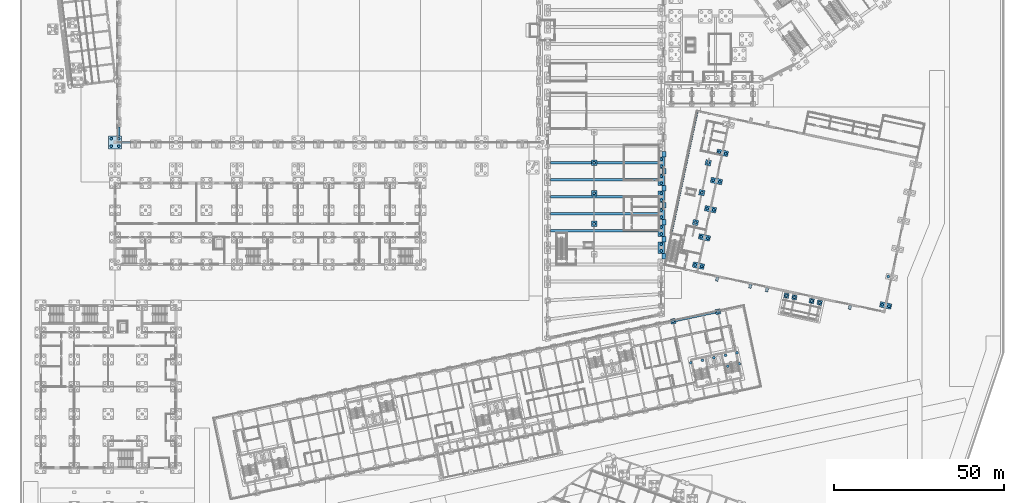
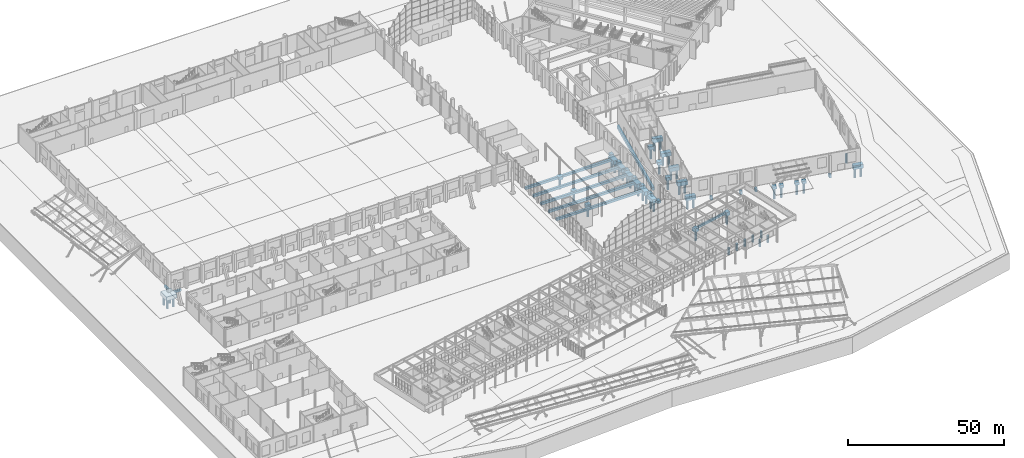
# One storey, part 5 of 239: 48 piles, 45 footings.
"""IFC4 building model written with IfcOpenShell, lengths in metres."""

from ifc_helpers import new_model, si_unit, direction, frame, origin, origin_2d, place, context, subcontext, project, spatial, rectangle, circle, extrude, material, material_profile, profile_set, type_object, element, save


model = new_model("IFC4")

# Units and contexts
model_context = context("Model", 3, precision=1e-05, world=origin(), true_north=direction((0.0, 1.0)))
body_context = subcontext(model_context, "Body", "Model", "MODEL_VIEW")
ifc_project = project(units=[si_unit("LENGTHUNIT", "METRE"), si_unit("AREAUNIT", "SQUARE_METRE"), si_unit("VOLUMEUNIT", "CUBIC_METRE"), si_unit("PLANEANGLEUNIT", "RADIAN"), si_unit("MASSUNIT", "GRAM", prefix="KILO")], contexts=[model_context])

# Site, building, storey
site_placement = place(None, origin())
site = spatial("IfcSite", under=ifc_project, at=site_placement, CompositionType="ELEMENT")
building_placement = place(site_placement, origin())
building = spatial("IfcBuilding", under=site, at=building_placement, Name="Okhra Congress Centre", CompositionType="ELEMENT")
storey_placement = place(building_placement, origin())
storey = spatial("IfcBuildingStorey", under=building, at=storey_placement, Name="L00", CompositionType="ELEMENT", Elevation=0.0)

# Piles
ifc_material_1 = material(Name="Concrete C30/37", Category="concrete")
ifc_material_profile_1 = material_profile(ifc_material_1, circle(Radius=0.39990234375, at=origin_2d()), Name="D800")
ifc_profile_set_1 = profile_set([ifc_material_profile_1], Name="Concrete C30/37")
pile_type_1 = type_object("IfcPileType", Name="Bored pile D800", PredefinedType="BORED", material=ifc_profile_set_1)
for number, where, z_axis, x_axis, name in (
    (1, (26.89990234375, 130.89990234375, -1.800048828125), (0.0, 0.0, -1.0), (1.0, 0.0, 0.0), "EH.PILE.L00.SC1.1"),
    (2, (29.10009765625, 130.89990234375, -1.800048828125), (0.0, 0.0, -1.0), (1.0, 0.0, 0.0), "EH.PILE.L00.SC1.2"),
    (3, (26.89990234375, 133.10009765625, -1.800048828125), (0.0, 0.0, -1.0), (1.0, 0.0, 0.0), "EH.PILE.L00.SC1.3"),
    (4, (29.10009765625, 133.10009765625, -1.800048828125), (0.0, 0.0, -1.0), (1.0, 0.0, 0.0), "EH.PILE.L00.SC1.4"),
    (5, (192.47265625, 79.28857421875, -1.800048828125), (0.0, 0.0, -1.0), (1.0, 0.0, 0.0), "Pile 28N"),
    (6, (205.677734375, 82.09521484375, -1.800048828125), (0.0, 0.0, -1.0), (1.0, 0.0, 0.0), "Pile 29N"),
):
    element("IfcPile", number, at=place(storey_placement, frame(where, z_axis=z_axis, x_axis=x_axis)), inside=storey, type_object=pile_type_1, Name=name, PredefinedType="BORED", context=body_context, shape_type="SweptSolid", body=[
        extrude(circle(Radius=0.39990234375, at=origin_2d()), origin(), (0.0, 0.0, 1.0), 3.699951171875),
    ])
for number, where, z_axis, x_axis, name in (
    (7, (197.723876953125, 67.088623046875, -2.800048828125), (0.0, 0.0, -1.0), (1.0, 0.0, 0.0), "Core pile 5.3"),
    (8, (201.123046875, 67.81103515625, -2.800048828125), (0.0, 0.0, -1.0), (1.0, 0.0, 0.0), "Core pile 5.6"),
    (9, (204.52197265625, 68.53369140625, -2.800048828125), (0.0, 0.0, -1.0), (1.0, 0.0, 0.0), "Core pile 5.9"),
    (10, (208.607177734375, 66.0283203125, -2.800048828125), (0.0, 0.0, -1.0), (1.0, 0.0, 0.0), "Core pile 5.11"),
    (11, (207.921142578125, 69.256103515625, -2.800048828125), (0.0, 0.0, -1.0), (1.0, 0.0, 0.0), "Core pile 5.12"),
    (12, (212.00634765625, 66.750732421875, -2.800048828125), (0.0, 0.0, -1.0), (1.0, 0.0, 0.0), "Core pile 5.14"),
    (13, (211.320068359375, 69.978515625, -2.800048828125), (0.0, 0.0, -1.0), (1.0, 0.0, 0.0), "Core pile 5.15"),
):
    element("IfcPile", number, at=place(storey_placement, frame(where, z_axis=z_axis, x_axis=x_axis)), inside=storey, type_object=pile_type_1, Name=name, PredefinedType="BORED", context=body_context, shape_type="SweptSolid", body=[
        extrude(circle(Radius=0.39990234375, at=origin_2d()), origin(), (0.0, 0.0, 1.0), 2.699951171875),
    ])
ifc_material_profile_2 = material_profile(ifc_material_1, circle(Radius=0.39990234375, at=origin_2d()), Name="D800")
ifc_profile_set_2 = profile_set([ifc_material_profile_2], Name="Concrete C30/37")
pile_type_2 = type_object("IfcPileType", Name="Bored pile D800 C30/37", PredefinedType="BORED", material=ifc_profile_set_2)
for number, where, z_axis, x_axis, name in (
    (14, (189.0, 100.0, -1.800048828125), (0.0, 0.0, -1.0), (1.0, 0.0, 0.0), "WG.PILE.L00.E05-1"),
    (15, (189.0, 102.0, -1.800048828125), (0.0, 0.0, -1.0), (1.0, 0.0, 0.0), "WG.PILE.L00.E05-2"),
    (16, (189.0, 105.0, -1.800048828125), (0.0, 0.0, -1.0), (1.0, 0.0, 0.0), "WG.PILE.L00.E06-1"),
    (17, (189.0, 107.0, -1.800048828125), (0.0, 0.0, -1.0), (1.0, 0.0, 0.0), "WG.PILE.L00.E06-2"),
    (18, (189.0, 110.0, -1.800048828125), (0.0, 0.0, -1.0), (1.0, 0.0, 0.0), "WG.PILE.L00.E07-1"),
    (19, (189.0, 112.0, -1.800048828125), (0.0, 0.0, -1.0), (1.0, 0.0, 0.0), "WG.PILE.L00.E07-2"),
    (20, (189.0, 115.0, -1.800048828125), (0.0, 0.0, -1.0), (1.0, 0.0, 0.0), "WG.PILE.L00.E08-1"),
    (21, (189.0, 117.0, -1.800048828125), (0.0, 0.0, -1.0), (1.0, 0.0, 0.0), "WG.PILE.L00.E08-2"),
    (22, (189.0, 120.0, -1.800048828125), (0.0, 0.0, -1.0), (1.0, 0.0, 0.0), "WG.PILE.L00.E09-1"),
    (23, (189.0, 122.0, -1.800048828125), (0.0, 0.0, -1.0), (1.0, 0.0, 0.0), "WG.PILE.L00.E09-2"),
    (24, (189.0, 125.0, -1.800048828125), (0.0, 0.0, -1.0), (1.0, 0.0, 0.0), "WG.PILE.L00.E10-1"),
    (25, (189.0, 127.0, -1.800048828125), (0.0, 0.0, -1.0), (1.0, 0.0, 0.0), "WG.PILE.L00.E10-2"),
    (26, (198.971435546875, 95.882080078125, -1.800048828125), (0.0, 0.0, -1.0), (1.0, 0.0, 0.0), "BR.PILE.L00.W0-1"),
    (27, (200.927734375, 95.46630859375, -1.800048828125), (0.0, 0.0, -1.0), (1.0, 0.0, 0.0), "BR.PILE.L00.W0-2"),
    (28, (254.13916015625, 84.156005859375, -1.800048828125), (0.0, 0.0, -1.0), (1.0, 0.0, 0.0), "BR.PILE.L00.E0-1"),
    (29, (256.095458984375, 83.739990234375, -1.800048828125), (0.0, 0.0, -1.0), (1.0, 0.0, 0.0), "BR.PILE.L00.E0-2"),
    (30, (200.73876953125, 104.1962890625, -1.800048828125), (0.0, 0.0, -1.0), (1.0, 0.0, 0.0), "BR.PILE.L00.W1-1"),
    (31, (202.695068359375, 103.780517578125, -1.800048828125), (0.0, 0.0, -1.0), (1.0, 0.0, 0.0), "BR.PILE.L00.W1-2"),
    (32, (255.90625, 92.47021484375, -1.800048828125), (0.0, 0.0, -1.0), (1.0, 0.0, 0.0), "BR.PILE.L00.E1-1"),
    (33, (202.506103515625, 112.5107421875, -1.800048828125), (0.0, 0.0, -1.0), (1.0, 0.0, 0.0), "BR.PILE.L00.W2-1"),
    (34, (204.46240234375, 112.0947265625, -1.800048828125), (0.0, 0.0, -1.0), (1.0, 0.0, 0.0), "BR.PILE.L00.W2-2"),
    (35, (204.273193359375, 120.824951171875, -1.800048828125), (0.0, 0.0, -1.0), (1.0, 0.0, 0.0), "BR.PILE.L00.W3-1"),
    (36, (206.2294921875, 120.4091796875, -1.800048828125), (0.0, 0.0, -1.0), (1.0, 0.0, 0.0), "BR.PILE.L00.W3-2"),
    (37, (206.04052734375, 129.13916015625, -1.800048828125), (0.0, 0.0, -1.0), (1.0, 0.0, 0.0), "BR.PILE.L00.W4-1"),
    (38, (207.996826171875, 128.723388671875, -1.800048828125), (0.0, 0.0, -1.0), (1.0, 0.0, 0.0), "BR.PILE.L00.W4-2"),
):
    element("IfcPile", number, at=place(storey_placement, frame(where, z_axis=z_axis, x_axis=x_axis)), inside=storey, type_object=pile_type_2, Name=name, PredefinedType="BORED", context=body_context, shape_type="SweptSolid", body=[
        extrude(circle(Radius=0.39990234375, at=origin_2d()), origin(), (0.0, 0.0, 1.0), 3.699951171875),
    ])
for number, where, z_axis, x_axis, name in (
    (39, (169.199951171875, 108.0, -1.5), (0.0, 0.0, -1.0), (1.0, 0.0, 0.0), "WG.PILE.L00.gal-1"),
    (40, (169.199951171875, 117.0, -1.5), (0.0, 0.0, -1.0), (1.0, 0.0, 0.0), "WG.PILE.L00.gal-2"),
    (41, (169.199951171875, 126.0, -1.5), (0.0, 0.0, -1.0), (1.0, 0.0, 0.0), "WG.PILE.L00.gal-3"),
    (42, (199.072998046875, 108.38427734375, -1.5), (0.0, 0.0, -1.0), (1.0, 0.0, 0.0), "BR.PILE.L00.gal-0"),
    (43, (200.9443359375, 117.1875, -1.5), (0.0, 0.0, -1.0), (1.0, 0.0, 0.0), "BR.PILE.L00.gal-1"),
    (44, (202.8154296875, 125.990966796875, -1.5), (0.0, 0.0, -1.0), (1.0, 0.0, 0.0), "BR.PILE.L00.gal-2"),
):
    element("IfcPile", number, at=place(storey_placement, frame(where, z_axis=z_axis, x_axis=x_axis)), inside=storey, type_object=pile_type_2, Name=name, PredefinedType="BORED", context=body_context, shape_type="SweptSolid", body=[
        extrude(circle(Radius=0.39990234375, at=origin_2d()), origin(), (0.0, 0.0, 1.0), 4.0),
    ])
for number, where, z_axis, x_axis, name in (
    (45, (225.879638671875, 86.840087890625, -1.300048828125), (0.0, 0.0, -1.0), (1.0, 0.0, 0.0), "BR.PILE.L00.canopy-0"),
    (46, (228.22705078125, 86.341064453125, -1.300048828125), (0.0, 0.0, -1.0), (1.0, 0.0, 0.0), "BR.PILE.L00.canopy-1"),
    (47, (233.3134765625, 85.260009765625, -1.300048828125), (0.0, 0.0, -1.0), (1.0, 0.0, 0.0), "BR.PILE.L00.canopy-2"),
    (48, (235.6611328125, 84.760986328125, -1.300048828125), (0.0, 0.0, -1.0), (1.0, 0.0, 0.0), "BR.PILE.L00.canopy-3"),
):
    element("IfcPile", number, at=place(storey_placement, frame(where, z_axis=z_axis, x_axis=x_axis)), inside=storey, type_object=pile_type_2, Name=name, PredefinedType="BORED", context=body_context, shape_type="SweptSolid", body=[
        extrude(circle(Radius=0.39990234375, at=origin_2d()), origin(), (0.0, 0.0, 1.0), 4.199951171875),
    ])

# Footings
ifc_material_2 = material(Name="Concrete C35/45", Category="concrete")
footing_type_1 = type_object("IfcFootingType", Name="Ground beam 600x800", PredefinedType="FOOTING_BEAM", material=ifc_material_2)
footing_1_placement = place(storey_placement, frame((199.0751953125, 80.69189453125, -1.2001953125), z_axis=(0.0, 0.0, 1.0), x_axis=(0.978147600734, 0.207911690818, 0.0)))
element("IfcFooting", 49, at=footing_1_placement, inside=storey, type_object=footing_type_1, Name="Ground beam N28", PredefinedType="FOOTING_BEAM", context=body_context, shape_type="SweptSolid", body=[
    extrude(rectangle(XDim=12.0, YDim=0.60009765625, at=origin_2d()), origin(), (0.0, 0.0, 1.0), 0.800048828125),
])
footing_type_2 = type_object("IfcFootingType", Name="Ground beam 600x800 C30/37", PredefinedType="FOOTING_BEAM", material=ifc_material_1)
for number, where, z_axis, x_axis, name in (
    (50, (31.199951171875, 132.0, -1.2001953125), (0.0, 0.0, 1.0), (1.0, 0.0, 0.0), "EH.FTG.L00.GB1"),
    (51, (29.125, 135.199951171875, -1.2001953125), (0.0, 0.0, 1.0), (0.0, 1.0, 0.0), "EH.FTG.L00.GB29"),
):
    element("IfcFooting", number, at=place(storey_placement, frame(where, z_axis=z_axis, x_axis=x_axis)), inside=storey, type_object=footing_type_2, Name=name, PredefinedType="FOOTING_BEAM", context=body_context, shape_type="SweptSolid", body=[
        extrude(rectangle(XDim=2.60009765625, YDim=0.60009765625, at=origin_2d()), origin(), (0.0, 0.0, 1.0), 0.800048828125),
    ])
footing_type_3 = type_object("IfcFootingType", Name="Pile cap 1400x1400x1000 C30/37", PredefinedType="PILE_CAP", material=ifc_material_1)
for number, where, z_axis, x_axis, name in (
    (52, (225.879638671875, 86.840087890625, -1.39990234375), (0.0, 0.0, 1.0), (0.978147600734, -0.207911690818, 0.0), "BR.FTG.L00.canopy-cap-0"),
    (53, (228.22705078125, 86.341064453125, -1.39990234375), (0.0, 0.0, 1.0), (0.978147600734, -0.207911690818, 0.0), "BR.FTG.L00.canopy-cap-1"),
    (54, (233.3134765625, 85.260009765625, -1.39990234375), (0.0, 0.0, 1.0), (0.978147600734, -0.207911690818, 0.0), "BR.FTG.L00.canopy-cap-2"),
    (55, (235.6611328125, 84.760986328125, -1.39990234375), (0.0, 0.0, 1.0), (0.978147600734, -0.207911690818, 0.0), "BR.FTG.L00.canopy-cap-3"),
):
    element("IfcFooting", number, at=place(storey_placement, frame(where, z_axis=z_axis, x_axis=x_axis)), inside=storey, type_object=footing_type_3, Name=name, PredefinedType="PILE_CAP", context=body_context, shape_type="SweptSolid", body=[
        extrude(rectangle(XDim=1.39990234375, YDim=1.39990234375, at=origin_2d()), origin(), (0.0, 0.0, 1.0), 1.0),
    ])
footing_type_4 = type_object("IfcFootingType", Name="Pile cap 1500x1500x1500", PredefinedType="PILE_CAP", material=ifc_material_2)
for number, where, z_axis, x_axis, name in (
    (56, (192.47265625, 79.28857421875, -1.89990234375), (0.0, 0.0, 1.0), (0.978147600734, 0.207911690818, 0.0), "Pile cap 28N"),
    (57, (205.677734375, 82.09521484375, -1.89990234375), (0.0, 0.0, 1.0), (0.978147600734, 0.207911690818, 0.0), "Pile cap 29N"),
):
    element("IfcFooting", number, at=place(storey_placement, frame(where, z_axis=z_axis, x_axis=x_axis)), inside=storey, type_object=footing_type_4, Name=name, PredefinedType="PILE_CAP", context=body_context, shape_type="SweptSolid", body=[
        extrude(rectangle(XDim=1.5, YDim=1.5, at=origin_2d()), origin(), (0.0, 0.0, 1.0), 1.5),
    ])
footing_type_5 = type_object("IfcFootingType", Name="Pile cap 1600x1600x1200 C30/37", PredefinedType="PILE_CAP", material=ifc_material_1)
for number, where, z_axis, x_axis, name in (
    (58, (169.199951171875, 108.0, -1.60009765625), (0.0, 0.0, 1.0), (1.0, 0.0, 0.0), "WG.FTG.L00.gal-cap-1"),
    (59, (169.199951171875, 117.0, -1.60009765625), (0.0, 0.0, 1.0), (1.0, 0.0, 0.0), "WG.FTG.L00.gal-cap-2"),
    (60, (169.199951171875, 126.0, -1.60009765625), (0.0, 0.0, 1.0), (1.0, 0.0, 0.0), "WG.FTG.L00.gal-cap-3"),
    (61, (199.072998046875, 108.38427734375, -1.60009765625), (0.0, 0.0, 1.0), (0.978147600734, -0.207911690818, 0.0), "BR.FTG.L00.gal-cap-0"),
    (62, (200.9443359375, 117.1875, -1.60009765625), (0.0, 0.0, 1.0), (0.978147600734, -0.207911690818, 0.0), "BR.FTG.L00.gal-cap-1"),
    (63, (202.8154296875, 125.990966796875, -1.60009765625), (0.0, 0.0, 1.0), (0.978147600734, -0.207911690818, 0.0), "BR.FTG.L00.gal-cap-2"),
):
    element("IfcFooting", number, at=place(storey_placement, frame(where, z_axis=z_axis, x_axis=x_axis)), inside=storey, type_object=footing_type_5, Name=name, PredefinedType="PILE_CAP", context=body_context, shape_type="SweptSolid", body=[
        extrude(rectangle(XDim=1.60009765625, YDim=1.60009765625, at=origin_2d()), origin(), (0.0, 0.0, 1.0), 1.199951171875),
    ])
footing_type_6 = type_object("IfcFootingType", Name="Pile cap 1800x3400x1500 C30/37", PredefinedType="PILE_CAP", material=ifc_material_1)
for number, where, z_axis, x_axis, name in (
    (64, (189.0, 101.0, -1.89990234375), (0.0, 0.0, 1.0), (1.0, 0.0, 0.0), "WG.FTG.L00.cap-E05"),
    (65, (189.0, 106.0, -1.89990234375), (0.0, 0.0, 1.0), (1.0, 0.0, 0.0), "WG.FTG.L00.cap-E06"),
    (66, (189.0, 111.0, -1.89990234375), (0.0, 0.0, 1.0), (1.0, 0.0, 0.0), "WG.FTG.L00.cap-E07"),
    (67, (189.0, 116.0, -1.89990234375), (0.0, 0.0, 1.0), (1.0, 0.0, 0.0), "WG.FTG.L00.cap-E08"),
    (68, (189.0, 121.0, -1.89990234375), (0.0, 0.0, 1.0), (1.0, 0.0, 0.0), "WG.FTG.L00.cap-E09"),
    (69, (189.0, 126.0, -1.89990234375), (0.0, 0.0, 1.0), (1.0, 0.0, 0.0), "WG.FTG.L00.cap-E10"),
):
    element("IfcFooting", number, at=place(storey_placement, frame(where, z_axis=z_axis, x_axis=x_axis)), inside=storey, type_object=footing_type_6, Name=name, PredefinedType="PILE_CAP", context=body_context, shape_type="SweptSolid", body=[
        extrude(rectangle(XDim=1.800048828125, YDim=3.39990234375, at=origin_2d()), origin(), (0.0, 0.0, 1.0), 1.5),
    ])
footing_type_7 = type_object("IfcFootingType", Name="Pile cap 3400x1600x1500 C30/37", PredefinedType="PILE_CAP", material=ifc_material_1)
for number, where, z_axis, x_axis, name in (
    (70, (199.94970703125, 95.67431640625, -1.89990234375), (0.0, 0.0, 1.0), (0.978147600734, -0.207911690818, 0.0), "BR.FTG.L00.cap-W0"),
    (71, (255.1171875, 83.947998046875, -1.89990234375), (0.0, 0.0, 1.0), (0.978147600734, -0.207911690818, 0.0), "BR.FTG.L00.cap-E0"),
    (72, (201.717041015625, 103.988525390625, -1.89990234375), (0.0, 0.0, 1.0), (0.978147600734, -0.207911690818, 0.0), "BR.FTG.L00.cap-W1"),
    (73, (203.484130859375, 112.302734375, -1.89990234375), (0.0, 0.0, 1.0), (0.978147600734, -0.207911690818, 0.0), "BR.FTG.L00.cap-W2"),
    (74, (205.25146484375, 120.616943359375, -1.89990234375), (0.0, 0.0, 1.0), (0.978147600734, -0.207911690818, 0.0), "BR.FTG.L00.cap-W3"),
    (75, (207.018798828125, 128.93115234375, -1.89990234375), (0.0, 0.0, 1.0), (0.978147600734, -0.207911690818, 0.0), "BR.FTG.L00.cap-W4"),
):
    element("IfcFooting", number, at=place(storey_placement, frame(where, z_axis=z_axis, x_axis=x_axis)), inside=storey, type_object=footing_type_7, Name=name, PredefinedType="PILE_CAP", context=body_context, shape_type="SweptSolid", body=[
        extrude(rectangle(XDim=3.39990234375, YDim=1.60009765625, at=origin_2d()), origin(), (0.0, 0.0, 1.0), 1.5),
    ])
footing_type_8 = type_object("IfcFootingType", Name="Pile cap 3800x3800x1500 C30/37", PredefinedType="PILE_CAP", material=ifc_material_1)
footing_2_placement = place(storey_placement, frame((28.0, 132.0, -1.89990234375), z_axis=(0.0, 0.0, 1.0), x_axis=(1.0, 0.0, 0.0)))
element("IfcFooting", 76, at=footing_2_placement, inside=storey, type_object=footing_type_8, Name="EH.FTG.L00.SC1", PredefinedType="PILE_CAP", context=body_context, shape_type="SweptSolid", body=[
    extrude(rectangle(XDim=3.800048828125, YDim=3.800048828125, at=origin_2d()), origin(), (0.0, 0.0, 1.0), 1.5),
])
footing_type_9 = type_object("IfcFootingType", Name="RC ground beam 1200x900 C30/37", PredefinedType="STRIP_FOOTING", material=ifc_material_1)
for number, where, z_axis, x_axis, name in (
    (77, (189.75, 98.5, -1.300048828125), (0.0, 0.0, 1.0), (1.0, 0.0, 0.0), "WG.FTG.L00.gbeam-00"),
    (78, (189.75, 103.5, -1.300048828125), (0.0, 0.0, 1.0), (1.0, 0.0, 0.0), "WG.FTG.L00.gbeam-01"),
    (79, (189.75, 108.5, -1.300048828125), (0.0, 0.0, 1.0), (1.0, 0.0, 0.0), "WG.FTG.L00.gbeam-02"),
    (80, (189.75, 113.5, -1.300048828125), (0.0, 0.0, 1.0), (1.0, 0.0, 0.0), "WG.FTG.L00.gbeam-03"),
    (81, (189.75, 118.5, -1.300048828125), (0.0, 0.0, 1.0), (1.0, 0.0, 0.0), "WG.FTG.L00.gbeam-04"),
    (82, (189.75, 123.5, -1.300048828125), (0.0, 0.0, 1.0), (1.0, 0.0, 0.0), "WG.FTG.L00.gbeam-05"),
    (83, (189.75, 128.5, -1.300048828125), (0.0, 0.0, 1.0), (1.0, 0.0, 0.0), "WG.FTG.L00.gbeam-06"),
):
    element("IfcFooting", number, at=place(storey_placement, frame(where, z_axis=z_axis, x_axis=x_axis)), inside=storey, type_object=footing_type_9, Name=name, PredefinedType="STRIP_FOOTING", context=body_context, shape_type="SweptSolid", body=[
        extrude(rectangle(XDim=1.199951171875, YDim=1.60009765625, at=origin_2d()), origin(), (0.0, 0.0, 1.0), 0.89990234375),
    ])
footing_type_10 = type_object("IfcFootingType", Name="RC strip footing 800x1200 C35/45", PredefinedType="STRIP_FOOTING", material=ifc_material_2)
for number, where, z_axis, x_axis, name in (
    (84, (205.4423828125, 91.6953125, -1.5), (0.0, 0.0, 1.0), (0.978147600734, -0.207911690818, 0.0), "Ballroom fin footing south 1"),
    (85, (215.223876953125, 89.6162109375, -1.5), (0.0, 0.0, 1.0), (0.978147600734, -0.207911690818, 0.0), "Ballroom fin footing south 2"),
    (86, (220.11474609375, 88.57666015625, -1.5), (0.0, 0.0, 1.0), (0.978147600734, -0.207911690818, 0.0), "Ballroom fin footing south 3"),
    (87, (244.568359375, 83.37890625, -1.5), (0.0, 0.0, 1.0), (0.978147600734, -0.207911690818, 0.0), "Ballroom fin footing south 4"),
):
    element("IfcFooting", number, at=place(storey_placement, frame(where, z_axis=z_axis, x_axis=x_axis)), inside=storey, type_object=footing_type_10, Name=name, PredefinedType="STRIP_FOOTING", context=body_context, shape_type="SweptSolid", body=[
        extrude(rectangle(XDim=0.800048828125, YDim=1.199951171875, at=origin_2d()), origin(), (0.0, 0.0, 1.0), 1.199951171875),
    ])
footing_3_placement = place(storey_placement, frame((195.677001953125, 123.188720703125, -1.5), z_axis=(0.0, 0.0, 1.0), x_axis=(0.978147600734, -0.207911690818, 0.0)))
element("IfcFooting", 88, at=footing_3_placement, inside=storey, type_object=footing_type_10, Name="Foyer west strip footing", PredefinedType="STRIP_FOOTING", context=body_context, shape_type="SweptSolid", body=[
    extrude(rectangle(XDim=0.800048828125, YDim=36.75, at=origin_2d()), origin(), (0.0, 0.0, 1.0), 1.199951171875),
])
footing_type_11 = type_object("IfcFootingType", Name="RC tie beam 800x900 C30/37", PredefinedType="STRIP_FOOTING", material=ifc_material_1)
for number, where, z_axis, x_axis, name in (
    (89, (172.25, 106.0, -1.300048828125), (0.0, 0.0, 1.0), (1.0, 0.0, 0.0), "WG.FTG.L00.tie-06"),
    (90, (172.25, 111.0, -1.300048828125), (0.0, 0.0, 1.0), (1.0, 0.0, 0.0), "WG.FTG.L00.tie-07"),
    (91, (172.25, 116.0, -1.300048828125), (0.0, 0.0, 1.0), (1.0, 0.0, 0.0), "WG.FTG.L00.tie-08"),
    (92, (172.25, 121.0, -1.300048828125), (0.0, 0.0, 1.0), (1.0, 0.0, 0.0), "WG.FTG.L00.tie-09"),
    (93, (172.25, 126.0, -1.300048828125), (0.0, 0.0, 1.0), (1.0, 0.0, 0.0), "WG.FTG.L00.tie-10"),
):
    element("IfcFooting", number, at=place(storey_placement, frame(where, z_axis=z_axis, x_axis=x_axis)), inside=storey, type_object=footing_type_11, Name=name, PredefinedType="STRIP_FOOTING", context=body_context, shape_type="SweptSolid", body=[
        extrude(rectangle(XDim=31.699951171875, YDim=0.800048828125, at=origin_2d()), origin(), (0.0, 0.0, 1.0), 0.89990234375),
    ])

save(model, "model.ifc")
